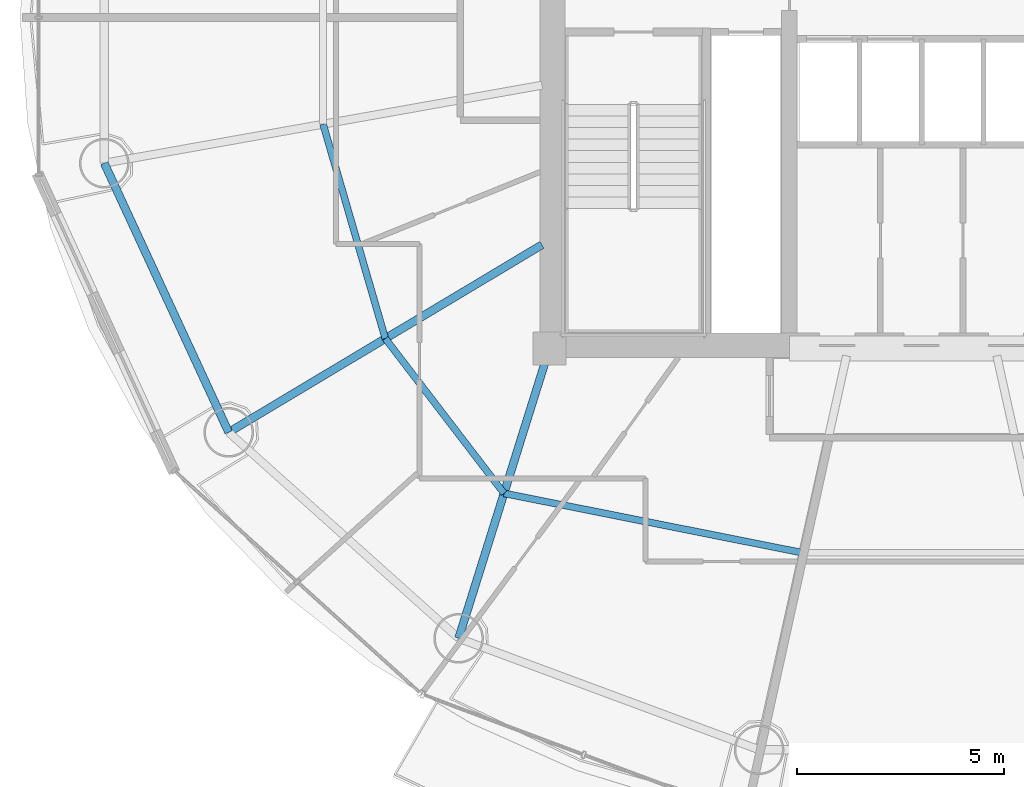
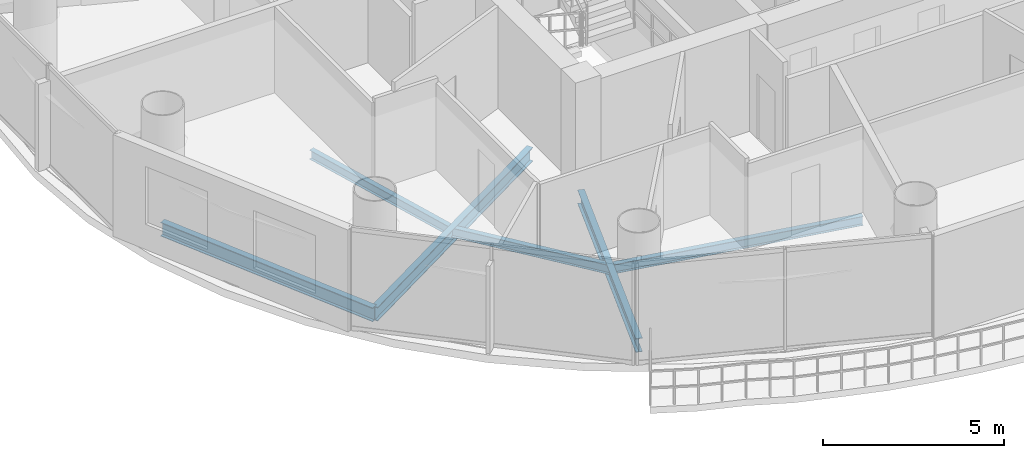
# One storey, part 4 of 26: 6 beams.
"""IFC4 building model written with IfcOpenShell, lengths in metres."""

from ifc_helpers import new_model, si_unit, direction, frame, origin, origin_2d, place, context, subcontext, project, spatial, i_section, extrude, material, material_profile, profile_set, type_object, element, save


model = new_model("IFC4")

# Units and contexts
model_context = context("Model", 3, precision=1e-05, world=origin(), true_north=direction((-0.2419218956, 0.970295726276)))
body_context = subcontext(model_context, "Body", "Model", "MODEL_VIEW")
ifc_project = project(units=[si_unit("LENGTHUNIT", "METRE"), si_unit("AREAUNIT", "SQUARE_METRE"), si_unit("VOLUMEUNIT", "CUBIC_METRE"), si_unit("PLANEANGLEUNIT", "RADIAN"), si_unit("MASSUNIT", "GRAM", prefix="KILO")], contexts=[model_context])

# Site, building, storey
site_placement = place(None, origin())
site = spatial("IfcSite", under=ifc_project, at=site_placement, CompositionType="ELEMENT")
building_placement = place(site_placement, origin())
building = spatial("IfcBuilding", under=site, at=building_placement, Name="Cobrevalo Terracotta Tower", CompositionType="ELEMENT")
storey_placement = place(building_placement, frame((0.0, 0.0, 235.60009765625)))
storey = spatial("IfcBuildingStorey", under=building, at=storey_placement, Name="L62", CompositionType="ELEMENT", Elevation=235.60009765625)

# Beams
ifc_material = material(Name="Steel S355", Category="steel")
ifc_material_profile_1 = material_profile(ifc_material, i_section(OverallWidth=0.194091796875, OverallDepth=0.468994140625, WebThickness=0.011474609375, FlangeThickness=0.0205078125, at=origin_2d()), Name="W 460x106")
ifc_profile_set_1 = profile_set([ifc_material_profile_1], Name="Steel S355")
beam_type_1 = type_object("IfcBeamType", Name="Structural Beam W 460x106 (Steel S355)", PredefinedType="BEAM", material=ifc_profile_set_1)
beam_1_placement = place(storey_placement, frame((21.245849609375, 16.77197265625, -0.49951171875), z_axis=(0.858046392192, 0.513572184651, 0.0), x_axis=(-0.513572184651, 0.858046392192, 0.0)))
element("IfcBeam", 1, at=beam_1_placement, inside=storey, type_object=beam_type_1, Name="L62 radial floor girder 10", PredefinedType="BEAM", context=body_context, shape_type="SweptSolid", body=[
    extrude(i_section(OverallWidth=0.194091796875, OverallDepth=0.468994140625, WebThickness=0.011474609375, FlangeThickness=0.0205078125, at=origin_2d()), origin(), (0.0, 0.0, 1.0), 8.827392578125),
])
beam_2_placement = place(storey_placement, frame((26.80517578125, 11.7919921875, -0.49951171875), z_axis=(0.298871212691, 0.954293454984, 0.0), x_axis=(-0.954293454984, 0.298871212691, 0.0)))
element("IfcBeam", 2, at=beam_2_placement, inside=storey, type_object=beam_type_1, Name="L62 radial floor girder 11", PredefinedType="BEAM", context=body_context, shape_type="SweptSolid", body=[
    extrude(i_section(OverallWidth=0.194091796875, OverallDepth=0.468994140625, WebThickness=0.011474609375, FlangeThickness=0.0205078125, at=origin_2d()), origin(), (0.0, 0.0, 1.0), 7.34375),
])
ifc_material_profile_2 = material_profile(ifc_material, i_section(OverallWidth=0.1650390625, OverallDepth=0.31005859375, WebThickness=0.005859375, FlangeThickness=0.009765625, at=origin_2d()), Name="W 310x38.7")
ifc_profile_set_2 = profile_set([ifc_material_profile_2], Name="Steel S355")
beam_type_2 = type_object("IfcBeamType", Name="Structural Joist W 310x38.7 (Steel S355)", PredefinedType="JOIST", material=ifc_profile_set_2)
beam_3_placement = place(storey_placement, frame((23.528564453125, 24.221435546875, -0.420166015625), z_axis=(0.278757705995, -0.960361463902, 0.0), x_axis=(0.960361463902, 0.278757705995, 0.0)))
element("IfcBeam", 3, at=beam_3_placement, inside=storey, type_object=beam_type_2, Name="L62 circumferential secondary floor joist 09", PredefinedType="JOIST", context=body_context, shape_type="SweptSolid", body=[
    extrude(i_section(OverallWidth=0.1650390625, OverallDepth=0.31005859375, WebThickness=0.005859375, FlangeThickness=0.009765625, at=origin_2d()), origin(), (0.0, 0.0, 1.0), 5.396728515625),
])
beam_4_placement = place(storey_placement, frame((25.032958984375, 19.03857421875, -0.420166015625), z_axis=(0.608464146296, -0.793581364872, 0.0), x_axis=(0.793581364872, 0.608464146296, 0.0)))
element("IfcBeam", 4, at=beam_4_placement, inside=storey, type_object=beam_type_2, Name="L62 circumferential secondary floor joist 10", PredefinedType="JOIST", context=body_context, shape_type="SweptSolid", body=[
    extrude(i_section(OverallWidth=0.1650390625, OverallDepth=0.31005859375, WebThickness=0.005859375, FlangeThickness=0.009765625, at=origin_2d()), origin(), (0.0, 0.0, 1.0), 4.716064453125),
])
beam_5_placement = place(storey_placement, frame((27.902587890625, 15.2958984375, -0.420166015625), z_axis=(0.980768907748, -0.195172614871, 0.0), x_axis=(0.195172614871, 0.980768907748, 0.0)))
element("IfcBeam", 5, at=beam_5_placement, inside=storey, type_object=beam_type_2, Name="L62 circumferential secondary floor joist 11", PredefinedType="JOIST", context=body_context, shape_type="SweptSolid", body=[
    extrude(i_section(OverallWidth=0.1650390625, OverallDepth=0.31005859375, WebThickness=0.005859375, FlangeThickness=0.009765625, at=origin_2d()), origin(), (0.0, 0.0, 1.0), 7.365234375),
])
ifc_material_profile_3 = material_profile(ifc_material, i_section(OverallWidth=0.194091796875, OverallDepth=0.468994140625, WebThickness=0.011474609375, FlangeThickness=0.0205078125, at=origin_2d()), Name="W 460x106")
ifc_profile_set_3 = profile_set([ifc_material_profile_3], Name="Steel S355")
beam_type_3 = type_object("IfcBeamType", Name="Structural Spandrel W 460x106 (Steel S355)", PredefinedType="SPANDREL", material=ifc_profile_set_3)
beam_6_placement = place(storey_placement, frame((18.237060546875, 23.278564453125, -0.49951171875), z_axis=(0.419718939129, -0.90765412583, 0.0), x_axis=(0.90765412583, 0.419718939129, 0.0)))
element("IfcBeam", 6, at=beam_6_placement, inside=storey, type_object=beam_type_3, Name="L62 perimeter ring spandrel 09", PredefinedType="SPANDREL", context=body_context, shape_type="SweptSolid", body=[
    extrude(i_section(OverallWidth=0.194091796875, OverallDepth=0.468994140625, WebThickness=0.011474609375, FlangeThickness=0.0205078125, at=origin_2d()), origin(), (0.0, 0.0, 1.0), 7.168701171875),
])

save(model, "model.ifc")
